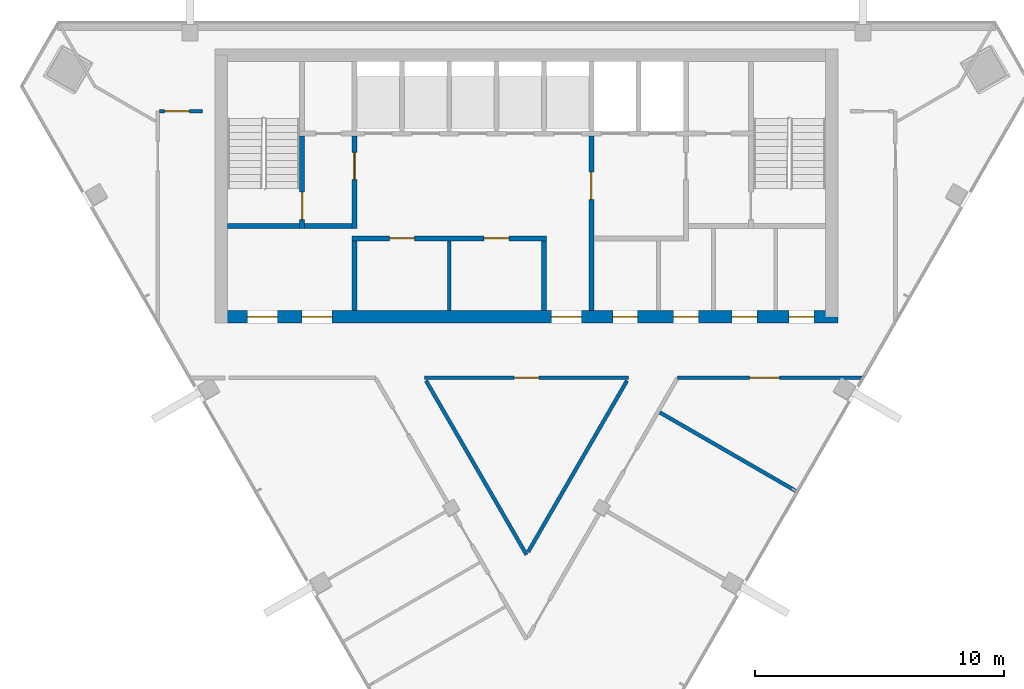
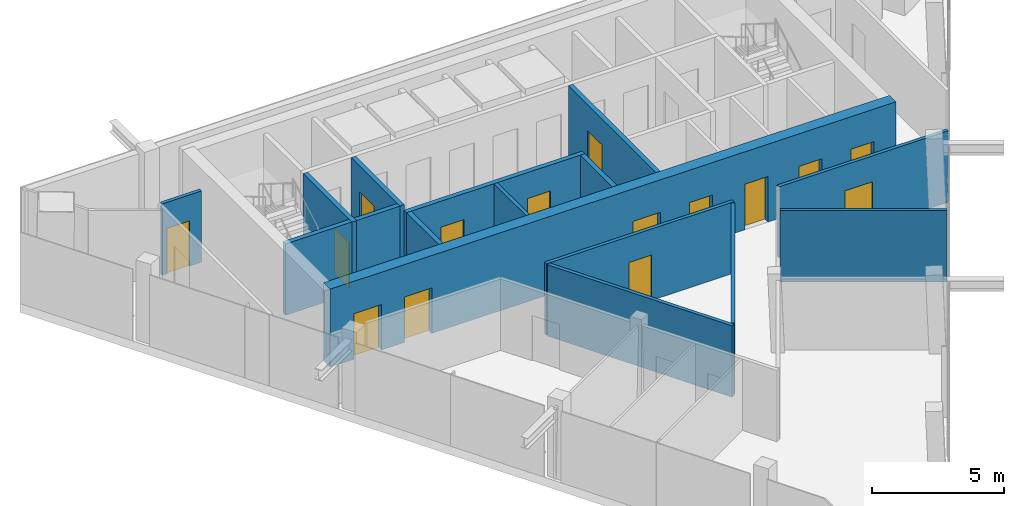
# One storey, part 6 of 9: 16 walls, 15 doors, 15 openings.
"""IFC4 building model written with IfcOpenShell, lengths in metres."""

from ifc_helpers import new_model, si_unit, direction, frame, frame_2d, origin, place, context, subcontext, project, spatial, rectangle, extrude, material, layer, layer_set, type_object, element, fill, save


model = new_model("IFC4")

# Units and contexts
model_context = context("Model", 3, precision=1e-05, world=origin(), true_north=direction((0.0, 1.0)))
body_context = subcontext(model_context, "Body", "Model", "MODEL_VIEW")
ifc_project = project(units=[si_unit("LENGTHUNIT", "METRE"), si_unit("AREAUNIT", "SQUARE_METRE"), si_unit("VOLUMEUNIT", "CUBIC_METRE"), si_unit("PLANEANGLEUNIT", "RADIAN"), si_unit("MASSUNIT", "GRAM", prefix="KILO")], contexts=[model_context])

# Site, building, storey
site_placement = place(None, origin())
site = spatial("IfcSite", under=ifc_project, at=site_placement, CompositionType="ELEMENT")
building_placement = place(site_placement, origin())
building = spatial("IfcBuilding", under=site, at=building_placement, Name="Altiplano Prism Tower", CompositionType="ELEMENT")
storey_placement = place(building_placement, frame((0.0, 0.0, 354.39990234375)))
storey = spatial("IfcBuildingStorey", under=building, at=storey_placement, Name="L92", CompositionType="ELEMENT", Elevation=354.39990234375)

# Wall, openings, doors
ifc_material_1 = material(Name="Concrete C60/75", Category="concrete")
ifc_layer_1 = layer(ifc_material_1, 0.5)
ifc_layer_set_1 = layer_set([ifc_layer_1], Name="Concrete C60/75")
wall_type_1 = type_object("IfcWallType", Name="Core wall 500", PredefinedType="SHEAR", material=ifc_layer_set_1)
wall_1_placement = place(storey_placement, frame((72.75, 93.14990234375, 0.0), z_axis=(0.0, 0.0, 1.0), x_axis=(1.0, 0.0, 0.0)))
wall_1 = element("IfcWall", 1, at=wall_1_placement, inside=storey, type_object=wall_type_1, Name="Core wall S L92", PredefinedType="SHEAR", context=body_context, shape_type="SweptSolid", body=[
    extrude(rectangle(XDim=24.75, YDim=0.5, at=frame_2d((12.375, 0.0))), origin(), (0.0, 0.0, 1.0), 3.60009765625),
])
opening_1_placement = place(wall_1_placement, frame((1.050048828125, 0.0, 0.0)))
opening_1 = element("IfcOpeningElement", 2, at=opening_1_placement, cuts=wall_1, Name="Opening D3898", PredefinedType="OPENING", context=body_context, shape_type="SweptSolid", body=[
    extrude(rectangle(XDim=1.199951171875, YDim=2.10009765625, at=frame_2d((0.60009765625, 1.050048828125))), frame((0.0, 0.260498046875, 0.0), z_axis=(0.0, -1.0, 0.0), x_axis=(1.0, 0.0, 0.0)), (0.0, 0.0, 1.0), 0.52099609375),
])
opening_2_placement = place(wall_1_placement, frame((3.25, 0.0, 0.0)))
opening_2 = element("IfcOpeningElement", 3, at=opening_2_placement, cuts=wall_1, Name="Opening D3899", PredefinedType="OPENING", context=body_context, shape_type="SweptSolid", body=[
    extrude(rectangle(XDim=1.199951171875, YDim=2.10009765625, at=frame_2d((0.60009765625, 1.050048828125))), frame((0.0, 0.260498046875, 0.0), z_axis=(0.0, -1.0, 0.0), x_axis=(1.0, 0.0, 0.0)), (0.0, 0.0, 1.0), 0.52099609375),
])
opening_3_placement = place(wall_1_placement, frame((13.25, 0.0, 0.0)))
opening_3 = element("IfcOpeningElement", 4, at=opening_3_placement, cuts=wall_1, Name="Opening D3900", PredefinedType="OPENING", context=body_context, shape_type="SweptSolid", body=[
    extrude(rectangle(XDim=1.199951171875, YDim=2.10009765625, at=frame_2d((0.60009765625, 1.050048828125))), frame((0.0, 0.260498046875, 0.0), z_axis=(0.0, -1.0, 0.0), x_axis=(1.0, 0.0, 0.0)), (0.0, 0.0, 1.0), 0.52099609375),
])
opening_4_placement = place(wall_1_placement, frame((15.71240234375, 0.0, 0.0)))
opening_4 = element("IfcOpeningElement", 5, at=opening_4_placement, cuts=wall_1, Name="Opening D3903", PredefinedType="OPENING", context=body_context, shape_type="SweptSolid", body=[
    extrude(rectangle(XDim=1.0, YDim=2.10009765625, at=frame_2d((0.5, 1.050048828125))), frame((0.0, 0.260498046875, 0.0), z_axis=(0.0, -1.0, 0.0), x_axis=(1.0, 0.0, 0.0)), (0.0, 0.0, 1.0), 0.52099609375),
])
opening_5_placement = place(wall_1_placement, frame((18.14990234375, 0.0, 0.0)))
opening_5 = element("IfcOpeningElement", 6, at=opening_5_placement, cuts=wall_1, Name="Opening D3904", PredefinedType="OPENING", context=body_context, shape_type="SweptSolid", body=[
    extrude(rectangle(XDim=1.0, YDim=2.10009765625, at=frame_2d((0.5, 1.050048828125))), frame((0.0, 0.260498046875, 0.0), z_axis=(0.0, -1.0, 0.0), x_axis=(1.0, 0.0, 0.0)), (0.0, 0.0, 1.0), 0.52099609375),
])
opening_6_placement = place(wall_1_placement, frame((20.5, 0.0, 0.0)))
opening_6 = element("IfcOpeningElement", 7, at=opening_6_placement, cuts=wall_1, Name="Opening D3905", PredefinedType="OPENING", context=body_context, shape_type="SweptSolid", body=[
    extrude(rectangle(XDim=1.0, YDim=2.10009765625, at=frame_2d((0.5, 1.050048828125))), frame((0.0, 0.260498046875, 0.0), z_axis=(0.0, -1.0, 0.0), x_axis=(1.0, 0.0, 0.0)), (0.0, 0.0, 1.0), 0.52099609375),
])
opening_7_placement = place(wall_1_placement, frame((22.78759765625, 0.0, 0.0)))
opening_7 = element("IfcOpeningElement", 8, at=opening_7_placement, cuts=wall_1, Name="Opening D3906", PredefinedType="OPENING", context=body_context, shape_type="SweptSolid", body=[
    extrude(rectangle(XDim=1.0, YDim=2.10009765625, at=frame_2d((0.5, 1.050048828125))), frame((0.0, 0.260498046875, 0.0), z_axis=(0.0, -1.0, 0.0), x_axis=(1.0, 0.0, 0.0)), (0.0, 0.0, 1.0), 0.52099609375),
])
ifc_material_2 = material(Name="Fire-rated steel door", Category="steel")
door_type_1 = type_object("IfcDoorType", Name="Core room door 1000 x 2100", OperationType="NOTDEFINED", PredefinedType="NOTDEFINED", material=ifc_material_2)
door_1_placement = place(opening_4_placement, origin())
door_1 = element("IfcDoor", 9, at=door_1_placement, inside=storey, type_object=door_type_1, Name="Core room door D3903", OperationType="SINGLE_SWING_RIGHT", OverallHeight=2.10009765625, OverallWidth=1.0, PredefinedType="NOTDEFINED", context=body_context, shape_type="SweptSolid", body=[
    extrude(rectangle(XDim=1.0, YDim=2.10009765625, at=frame_2d((0.5, 1.050048828125))), frame((0.0, 0.02490234375, 0.0), z_axis=(0.0, -1.0, 0.0), x_axis=(1.0, 0.0, 0.0)), (0.0, 0.0, 1.0), 0.050048828125),
])
fill(opening_4, door_1)
door_2_placement = place(opening_5_placement, origin())
door_2 = element("IfcDoor", 10, at=door_2_placement, inside=storey, type_object=door_type_1, Name="Core room door D3904", OperationType="SINGLE_SWING_LEFT", OverallHeight=2.10009765625, OverallWidth=1.0, PredefinedType="NOTDEFINED", context=body_context, shape_type="SweptSolid", body=[
    extrude(rectangle(XDim=1.0, YDim=2.10009765625, at=frame_2d((0.5, 1.050048828125))), frame((0.0, 0.02490234375, 0.0), z_axis=(0.0, -1.0, 0.0), x_axis=(1.0, 0.0, 0.0)), (0.0, 0.0, 1.0), 0.050048828125),
])
fill(opening_5, door_2)
door_3_placement = place(opening_6_placement, origin())
door_3 = element("IfcDoor", 11, at=door_3_placement, inside=storey, type_object=door_type_1, Name="Core room door D3905", OperationType="SINGLE_SWING_RIGHT", OverallHeight=2.10009765625, OverallWidth=1.0, PredefinedType="NOTDEFINED", context=body_context, shape_type="SweptSolid", body=[
    extrude(rectangle(XDim=1.0, YDim=2.10009765625, at=frame_2d((0.5, 1.050048828125))), frame((0.0, 0.02490234375, 0.0), z_axis=(0.0, -1.0, 0.0), x_axis=(1.0, 0.0, 0.0)), (0.0, 0.0, 1.0), 0.050048828125),
])
fill(opening_6, door_3)
door_4_placement = place(opening_7_placement, origin())
door_4 = element("IfcDoor", 12, at=door_4_placement, inside=storey, type_object=door_type_1, Name="Core room door D3906", OperationType="SINGLE_SWING_LEFT", OverallHeight=2.10009765625, OverallWidth=1.0, PredefinedType="NOTDEFINED", context=body_context, shape_type="SweptSolid", body=[
    extrude(rectangle(XDim=1.0, YDim=2.10009765625, at=frame_2d((0.5, 1.050048828125))), frame((0.0, 0.02490234375, 0.0), z_axis=(0.0, -1.0, 0.0), x_axis=(1.0, 0.0, 0.0)), (0.0, 0.0, 1.0), 0.050048828125),
])
fill(opening_7, door_4)
door_type_2 = type_object("IfcDoorType", Name="Lobby fire door 1200 x 2100", OperationType="NOTDEFINED", PredefinedType="NOTDEFINED", material=ifc_material_2)
door_5_placement = place(opening_1_placement, origin())
door_5 = element("IfcDoor", 13, at=door_5_placement, inside=storey, type_object=door_type_2, Name="Lobby fire door D3898", OperationType="SINGLE_SWING_RIGHT", OverallHeight=2.10009765625, OverallWidth=1.199951171875, PredefinedType="NOTDEFINED", context=body_context, shape_type="SweptSolid", body=[
    extrude(rectangle(XDim=1.199951171875, YDim=2.10009765625, at=frame_2d((0.60009765625, 1.050048828125))), frame((0.0, 0.02490234375, 0.0), z_axis=(0.0, -1.0, 0.0), x_axis=(1.0, 0.0, 0.0)), (0.0, 0.0, 1.0), 0.050048828125),
])
fill(opening_1, door_5)
door_6_placement = place(opening_2_placement, origin())
door_6 = element("IfcDoor", 14, at=door_6_placement, inside=storey, type_object=door_type_2, Name="Lobby fire door D3899", OperationType="SINGLE_SWING_LEFT", OverallHeight=2.10009765625, OverallWidth=1.199951171875, PredefinedType="NOTDEFINED", context=body_context, shape_type="SweptSolid", body=[
    extrude(rectangle(XDim=1.199951171875, YDim=2.10009765625, at=frame_2d((0.60009765625, 1.050048828125))), frame((0.0, 0.02490234375, 0.0), z_axis=(0.0, -1.0, 0.0), x_axis=(1.0, 0.0, 0.0)), (0.0, 0.0, 1.0), 0.050048828125),
])
fill(opening_2, door_6)
door_7_placement = place(opening_3_placement, origin())
door_7 = element("IfcDoor", 15, at=door_7_placement, inside=storey, type_object=door_type_2, Name="Lobby fire door D3900", OperationType="SINGLE_SWING_RIGHT", OverallHeight=2.10009765625, OverallWidth=1.199951171875, PredefinedType="NOTDEFINED", context=body_context, shape_type="SweptSolid", body=[
    extrude(rectangle(XDim=1.199951171875, YDim=2.10009765625, at=frame_2d((0.60009765625, 1.050048828125))), frame((0.0, 0.02490234375, 0.0), z_axis=(0.0, -1.0, 0.0), x_axis=(1.0, 0.0, 0.0)), (0.0, 0.0, 1.0), 0.050048828125),
])
fill(opening_3, door_7)

# Wall, opening, door
ifc_material_3 = material(Name="Plasterboard on steel stud", Category="steel")
ifc_layer_2 = layer(ifc_material_3, 0.14990234375)
ifc_layer_set_2 = layer_set([ifc_layer_2], Name="Plasterboard on steel stud")
wall_type_2 = type_object("IfcWallType", Name="Partition 150 corridor", PredefinedType="PARTITIONING", material=ifc_layer_set_2)
wall_2_placement = place(storey_placement, frame((91.062255859375, 90.699951171875, 0.0), z_axis=(0.0, 0.0, 1.0), x_axis=(1.0, 0.0, 0.0)))
wall_2 = element("IfcWall", 16, at=wall_2_placement, inside=storey, type_object=wall_type_2, Name="Partition P06 L92 006", PredefinedType="PARTITIONING", context=body_context, shape_type="SweptSolid", body=[
    extrude(rectangle(XDim=7.41455078125, YDim=0.14990234375, at=frame_2d((3.707275390625, 0.0))), origin(), (0.0, 0.0, 1.0), 3.300048828125),
])
opening_8_placement = place(wall_2_placement, frame((2.89208984375, 0.0, 0.0)))
opening_8 = element("IfcOpeningElement", 17, at=opening_8_placement, cuts=wall_2, Name="Opening D2546", PredefinedType="OPENING", context=body_context, shape_type="SweptSolid", body=[
    extrude(rectangle(XDim=1.199951171875, YDim=2.10009765625, at=frame_2d((0.60009765625, 1.050048828125))), frame((0.0, 0.08544921875, 0.0), z_axis=(0.0, -1.0, 0.0), x_axis=(1.0, 0.0, 0.0)), (0.0, 0.0, 1.0), 0.1708984375),
])
ifc_material_4 = material(Name="Timber", Category="wood")
door_type_3 = type_object("IfcDoorType", Name="Shared room door 1200 x 2100", OperationType="NOTDEFINED", PredefinedType="NOTDEFINED", material=ifc_material_4)
door_8_placement = place(opening_8_placement, origin())
door_8 = element("IfcDoor", 18, at=door_8_placement, inside=storey, type_object=door_type_3, Name="Door D2546", OperationType="SINGLE_SWING_LEFT", OverallHeight=2.10009765625, OverallWidth=1.199951171875, PredefinedType="NOTDEFINED", context=body_context, shape_type="SweptSolid", body=[
    extrude(rectangle(XDim=1.199951171875, YDim=2.10009765625, at=frame_2d((0.60009765625, 1.050048828125))), frame((0.0, 0.02490234375, 0.0), z_axis=(0.0, -1.0, 0.0), x_axis=(1.0, 0.0, 0.0)), (0.0, 0.0, 1.0), 0.050048828125),
])
fill(opening_8, door_8)

wall_3_placement = place(storey_placement, frame((80.902587890625, 90.698974609375, 0.0), z_axis=(0.0, 0.0, 1.0), x_axis=(1.0, 0.0, 0.0)))
wall_3 = element("IfcWall", 19, at=wall_3_placement, inside=storey, type_object=wall_type_2, Name="Partition P06 L92 008", PredefinedType="PARTITIONING", context=body_context, shape_type="SweptSolid", body=[
    extrude(rectangle(XDim=8.19482421875, YDim=0.14990234375, at=frame_2d((4.097412109375, 0.0))), origin(), (0.0, 0.0, 1.0), 3.300048828125),
])
opening_9_placement = place(wall_3_placement, frame((3.596923828125, 0.0, 0.0)))
opening_9 = element("IfcOpeningElement", 20, at=opening_9_placement, cuts=wall_3, Name="Opening D2548", PredefinedType="OPENING", context=body_context, shape_type="SweptSolid", body=[
    extrude(rectangle(XDim=1.0, YDim=2.10009765625, at=frame_2d((0.5, 1.050048828125))), frame((0.0, 0.08544921875, 0.0), z_axis=(0.0, -1.0, 0.0), x_axis=(1.0, 0.0, 0.0)), (0.0, 0.0, 1.0), 0.1708984375),
])
door_type_4 = type_object("IfcDoorType", Name="Store door 1000 x 2100", OperationType="NOTDEFINED", PredefinedType="NOTDEFINED", material=ifc_material_4)
door_9_placement = place(opening_9_placement, origin())
door_9 = element("IfcDoor", 21, at=door_9_placement, inside=storey, type_object=door_type_4, Name="Door D2548", OperationType="SINGLE_SWING_LEFT", OverallHeight=2.10009765625, OverallWidth=1.0, PredefinedType="NOTDEFINED", context=body_context, shape_type="SweptSolid", body=[
    extrude(rectangle(XDim=1.0, YDim=2.10009765625, at=frame_2d((0.5, 1.050048828125))), frame((0.0, 0.02490234375, 0.0), z_axis=(0.0, -1.0, 0.0), x_axis=(1.0, 0.0, 0.0)), (0.0, 0.0, 1.0), 0.050048828125),
])
fill(opening_9, door_9)

# Walls
wall_4_placement = place(storey_placement, frame((89.032470703125, 90.58642578125, 0.0), z_axis=(0.0, 0.0, 1.0), x_axis=(-0.500007429784, -0.866021114154, 0.0)))
element("IfcWall", 22, at=wall_4_placement, inside=storey, type_object=wall_type_2, Name="Partition P06 L92 009", PredefinedType="PARTITIONING", context=body_context, shape_type="SweptSolid", body=[
    extrude(rectangle(XDim=7.93505859375, YDim=0.14990234375, at=frame_2d((3.967529296875, 0.0))), origin(), (0.0, 0.0, 1.0), 3.300048828125),
])
wall_5_placement = place(storey_placement, frame((85.0, 83.60205078125, 0.0), z_axis=(0.0, 0.0, 1.0), x_axis=(-0.500003712085, 0.8660232606, 0.0)))
element("IfcWall", 23, at=wall_5_placement, inside=storey, type_object=wall_type_2, Name="Partition P06 L92 010", PredefinedType="PARTITIONING", context=body_context, shape_type="SweptSolid", body=[
    extrude(rectangle(XDim=8.06494140625, YDim=0.14990234375, at=frame_2d((4.032470703125, 0.0))), origin(), (0.0, 0.0, 1.0), 3.300048828125),
])

# Wall, opening, door
wall_6_placement = place(storey_placement, frame((72.0, 101.40087890625, 0.0), z_axis=(0.0, 0.0, 1.0), x_axis=(-1.0, 0.0, 0.0)))
wall_6 = element("IfcWall", 24, at=wall_6_placement, inside=storey, type_object=wall_type_2, Name="Partition P06 L92 012", PredefinedType="PARTITIONING", context=body_context, shape_type="SweptSolid", body=[
    extrude(rectangle(XDim=1.725341796875, YDim=0.14990234375, at=frame_2d((0.86279296875, 0.0))), origin(), (0.0, 0.0, 1.0), 3.300048828125),
])
opening_10_placement = place(wall_6_placement, frame((0.52490234375, 0.0, 0.0)))
opening_10 = element("IfcOpeningElement", 25, at=opening_10_placement, cuts=wall_6, Name="Opening D2550", PredefinedType="OPENING", context=body_context, shape_type="SweptSolid", body=[
    extrude(rectangle(XDim=1.0, YDim=2.10009765625, at=frame_2d((0.5, 1.050048828125))), frame((0.0, 0.08544921875, 0.0), z_axis=(0.0, -1.0, 0.0), x_axis=(1.0, 0.0, 0.0)), (0.0, 0.0, 1.0), 0.1708984375),
])
door_type_5 = type_object("IfcDoorType", Name="Room door 1000 x 2100", OperationType="NOTDEFINED", PredefinedType="NOTDEFINED", material=ifc_material_4)
door_10_placement = place(opening_10_placement, origin())
door_10 = element("IfcDoor", 26, at=door_10_placement, inside=storey, type_object=door_type_5, Name="Door D2550", OperationType="SINGLE_SWING_RIGHT", OverallHeight=2.10009765625, OverallWidth=1.0, PredefinedType="NOTDEFINED", context=body_context, shape_type="SweptSolid", body=[
    extrude(rectangle(XDim=1.0, YDim=2.10009765625, at=frame_2d((0.5, 1.050048828125))), frame((0.0, 0.02490234375, 0.0), z_axis=(0.0, -1.0, 0.0), x_axis=(1.0, 0.0, 0.0)), (0.0, 0.0, 1.0), 0.050048828125),
])
fill(opening_10, door_10)

# Walls
ifc_layer_3 = layer(ifc_material_3, 0.14990234375)
ifc_layer_set_3 = layer_set([ifc_layer_3], Name="Plasterboard on steel stud")
wall_type_3 = type_object("IfcWallType", Name="Partition 150 party", PredefinedType="PARTITIONING", material=ifc_layer_set_3)
wall_7_placement = place(storey_placement, frame((95.8251953125, 86.14990234375, 0.0), z_axis=(0.0, 0.0, 1.0), x_axis=(-0.866015887322, 0.500016482634, 0.0)))
element("IfcWall", 27, at=wall_7_placement, inside=storey, type_object=wall_type_3, Name="Partition P01 L92 019", PredefinedType="PARTITIONING", context=body_context, shape_type="SweptSolid", body=[
    extrude(rectangle(XDim=6.324951171875, YDim=0.14990234375, at=frame_2d((3.16259765625, 0.0))), origin(), (0.0, 0.0, 1.0), 3.300048828125),
])
ifc_material_5 = material(Name="Fire-rated gypsum board partition")
ifc_layer_4 = layer(ifc_material_5, 0.14990234375)
ifc_layer_set_4 = layer_set([ifc_layer_4], Name="Fire-rated gypsum board partition")
wall_type_4 = type_object("IfcWallType", Name="Room partition 150", PredefinedType="PARTITIONING", material=ifc_layer_set_4)
wall_8_placement = place(storey_placement, frame((81.89990234375, 93.39990234375, 0.0), z_axis=(0.0, 0.0, 1.0), x_axis=(0.0, 1.0, 0.0)))
element("IfcWall", 28, at=wall_8_placement, inside=storey, type_object=wall_type_4, Name="Room partition L92", PredefinedType="PARTITIONING", context=body_context, shape_type="SweptSolid", body=[
    extrude(rectangle(XDim=2.800048828125, YDim=0.14990234375, at=frame_2d((1.39990234375, 0.0))), origin(), (0.0, 0.0, 1.0), 3.300048828125),
])
ifc_layer_5 = layer(ifc_material_1, 0.199951171875)
ifc_layer_set_5 = layer_set([ifc_layer_5], Name="Concrete C60/75")
wall_type_5 = type_object("IfcWallType", Name="Stair wall 200", PredefinedType="SOLIDWALL", material=ifc_layer_set_5)
wall_9_placement = place(storey_placement, frame((73.0, 96.800048828125, 0.0), z_axis=(0.0, 0.0, 1.0), x_axis=(1.0, 0.0, 0.0)))
element("IfcWall", 29, at=wall_9_placement, inside=storey, type_object=wall_type_5, Name="Stair wall L92", PredefinedType="SOLIDWALL", context=body_context, shape_type="SweptSolid", body=[
    extrude(rectangle(XDim=2.89990234375, YDim=0.199951171875, at=frame_2d((1.449951171875, 0.0))), origin(), (0.0, 0.0, 1.0), 3.300048828125),
])

# Wall, opening, door
wall_10_placement = place(storey_placement, frame((76.0, 96.699951171875, 0.0), z_axis=(0.0, 0.0, 1.0), x_axis=(0.0, 1.0, 0.0)))
wall_10 = element("IfcWall", 30, at=wall_10_placement, inside=storey, type_object=wall_type_5, Name="Stair wall L92", PredefinedType="SOLIDWALL", context=body_context, shape_type="SweptSolid", body=[
    extrude(rectangle(XDim=3.699951171875, YDim=0.199951171875, at=frame_2d((1.85009765625, 0.0))), origin(), (0.0, 0.0, 1.0), 3.300048828125),
])
opening_11_placement = place(wall_10_placement, frame((0.35009765625, 0.0, 0.0)))
opening_11 = element("IfcOpeningElement", 31, at=opening_11_placement, cuts=wall_10, Name="Opening D3893", PredefinedType="OPENING", context=body_context, shape_type="SweptSolid", body=[
    extrude(rectangle(XDim=1.10009765625, YDim=2.10009765625, at=frame_2d((0.550048828125, 1.050048828125))), frame((0.0, 0.1103515625, 0.0), z_axis=(0.0, -1.0, 0.0), x_axis=(1.0, 0.0, 0.0)), (0.0, 0.0, 1.0), 0.220947265625),
])
door_type_6 = type_object("IfcDoorType", Name="Stair fire door 1100 x 2100", OperationType="NOTDEFINED", PredefinedType="NOTDEFINED", material=ifc_material_2)
door_11_placement = place(opening_11_placement, origin())
door_11 = element("IfcDoor", 32, at=door_11_placement, inside=storey, type_object=door_type_6, Name="Stair fire door D3893", OperationType="SINGLE_SWING_RIGHT", OverallHeight=2.10009765625, OverallWidth=1.10009765625, PredefinedType="NOTDEFINED", context=body_context, shape_type="SweptSolid", body=[
    extrude(rectangle(XDim=1.10009765625, YDim=2.10009765625, at=frame_2d((0.550048828125, 1.050048828125))), frame((0.0, 0.02490234375, 0.0), z_axis=(0.0, -1.0, 0.0), x_axis=(1.0, 0.0, 0.0)), (0.0, 0.0, 1.0), 0.050048828125),
])
fill(opening_11, door_11)

# Walls
ifc_layer_6 = layer(ifc_material_1, 0.199951171875)
ifc_layer_set_6 = layer_set([ifc_layer_6], Name="Concrete C60/75")
wall_type_6 = type_object("IfcWallType", Name="Vestibule wall 200", PredefinedType="PARTITIONING", material=ifc_layer_set_6)
for number, where, z_axis, x_axis, name in (
    (33, (78.10009765625, 93.39990234375, 0.0), (0.0, 0.0, 1.0), (0.0, 1.0, 0.0), "Vestibule wall L92"),
    (34, (85.699951171875, 93.39990234375, 0.0), (0.0, 0.0, 1.0), (0.0, 1.0, 0.0), "Vestibule wall L92"),
):
    element("IfcWall", number, at=place(storey_placement, frame(where, z_axis=z_axis, x_axis=x_axis)), inside=storey, type_object=wall_type_6, Name=name, PredefinedType="PARTITIONING", context=body_context, shape_type="SweptSolid", body=[
        extrude(rectangle(XDim=2.800048828125, YDim=0.199951171875, at=frame_2d((1.39990234375, 0.0))), origin(), (0.0, 0.0, 1.0), 3.300048828125),
    ])

# Wall, opening, door
wall_11_placement = place(storey_placement, frame((87.60009765625, 93.39990234375, 0.0), z_axis=(0.0, 0.0, 1.0), x_axis=(0.0, 1.0, 0.0)))
wall_11 = element("IfcWall", 35, at=wall_11_placement, inside=storey, type_object=wall_type_6, Name="Vestibule wall L92", PredefinedType="PARTITIONING", context=body_context, shape_type="SweptSolid", body=[
    extrude(rectangle(XDim=7.0, YDim=0.199951171875, at=frame_2d((3.5, 0.0))), origin(), (0.0, 0.0, 1.0), 3.300048828125),
])
opening_12_placement = place(wall_11_placement, frame((4.449951171875, 0.0, 0.0)))
opening_12 = element("IfcOpeningElement", 36, at=opening_12_placement, cuts=wall_11, Name="Opening D3896", PredefinedType="OPENING", context=body_context, shape_type="SweptSolid", body=[
    extrude(rectangle(XDim=1.10009765625, YDim=2.10009765625, at=frame_2d((0.550048828125, 1.050048828125))), frame((0.0, 0.1103515625, 0.0), z_axis=(0.0, -1.0, 0.0), x_axis=(1.0, 0.0, 0.0)), (0.0, 0.0, 1.0), 0.220947265625),
])
door_type_7 = type_object("IfcDoorType", Name="Vestibule fire door 1100 x 2100", OperationType="NOTDEFINED", PredefinedType="NOTDEFINED", material=ifc_material_2)
door_12_placement = place(opening_12_placement, origin())
door_12 = element("IfcDoor", 37, at=door_12_placement, inside=storey, type_object=door_type_7, Name="Vestibule fire door D3896", OperationType="SINGLE_SWING_RIGHT", OverallHeight=2.10009765625, OverallWidth=1.10009765625, PredefinedType="NOTDEFINED", context=body_context, shape_type="SweptSolid", body=[
    extrude(rectangle(XDim=1.10009765625, YDim=2.10009765625, at=frame_2d((0.550048828125, 1.050048828125))), frame((0.0, 0.02490234375, 0.0), z_axis=(0.0, -1.0, 0.0), x_axis=(1.0, 0.0, 0.0)), (0.0, 0.0, 1.0), 0.050048828125),
])
fill(opening_12, door_12)

# Wall, openings, doors
wall_12_placement = place(storey_placement, frame((78.0, 96.300048828125, 0.0), z_axis=(0.0, 0.0, 1.0), x_axis=(1.0, 0.0, 0.0)))
wall_12 = element("IfcWall", 38, at=wall_12_placement, inside=storey, type_object=wall_type_6, Name="Vestibule wall L92", PredefinedType="PARTITIONING", context=body_context, shape_type="SweptSolid", body=[
    extrude(rectangle(XDim=7.800048828125, YDim=0.199951171875, at=frame_2d((3.89990234375, 0.0))), origin(), (0.0, 0.0, 1.0), 3.300048828125),
])
opening_13_placement = place(wall_12_placement, frame((1.512451171875, 0.0, 0.0)))
opening_13 = element("IfcOpeningElement", 39, at=opening_13_placement, cuts=wall_12, Name="Opening D3907", PredefinedType="OPENING", context=body_context, shape_type="SweptSolid", body=[
    extrude(rectangle(XDim=1.0, YDim=2.10009765625, at=frame_2d((0.5, 1.050048828125))), frame((0.0, 0.1103515625, 0.0), z_axis=(0.0, -1.0, 0.0), x_axis=(1.0, 0.0, 0.0)), (0.0, 0.0, 1.0), 0.220947265625),
])
opening_14_placement = place(wall_12_placement, frame((5.28759765625, 0.0, 0.0)))
opening_14 = element("IfcOpeningElement", 40, at=opening_14_placement, cuts=wall_12, Name="Opening D3908", PredefinedType="OPENING", context=body_context, shape_type="SweptSolid", body=[
    extrude(rectangle(XDim=1.0, YDim=2.10009765625, at=frame_2d((0.5, 1.050048828125))), frame((0.0, 0.1103515625, 0.0), z_axis=(0.0, -1.0, 0.0), x_axis=(1.0, 0.0, 0.0)), (0.0, 0.0, 1.0), 0.220947265625),
])
door_13_placement = place(opening_13_placement, origin())
door_13 = element("IfcDoor", 41, at=door_13_placement, inside=storey, type_object=door_type_1, Name="Core room door D3907", OperationType="SINGLE_SWING_RIGHT", OverallHeight=2.10009765625, OverallWidth=1.0, PredefinedType="NOTDEFINED", context=body_context, shape_type="SweptSolid", body=[
    extrude(rectangle(XDim=1.0, YDim=2.10009765625, at=frame_2d((0.5, 1.050048828125))), frame((0.0, 0.02490234375, 0.0), z_axis=(0.0, -1.0, 0.0), x_axis=(1.0, 0.0, 0.0)), (0.0, 0.0, 1.0), 0.050048828125),
])
fill(opening_13, door_13)
door_14_placement = place(opening_14_placement, origin())
door_14 = element("IfcDoor", 42, at=door_14_placement, inside=storey, type_object=door_type_1, Name="Core room door D3908", OperationType="SINGLE_SWING_RIGHT", OverallHeight=2.10009765625, OverallWidth=1.0, PredefinedType="NOTDEFINED", context=body_context, shape_type="SweptSolid", body=[
    extrude(rectangle(XDim=1.0, YDim=2.10009765625, at=frame_2d((0.5, 1.050048828125))), frame((0.0, 0.02490234375, 0.0), z_axis=(0.0, -1.0, 0.0), x_axis=(1.0, 0.0, 0.0)), (0.0, 0.0, 1.0), 0.050048828125),
])
fill(opening_14, door_14)

# Wall
wall_13_placement = place(storey_placement, frame((76.10009765625, 96.800048828125, 0.0), z_axis=(0.0, 0.0, 1.0), x_axis=(1.0, 0.0, 0.0)))
element("IfcWall", 43, at=wall_13_placement, inside=storey, type_object=wall_type_6, Name="Vestibule wall L92", PredefinedType="PARTITIONING", context=body_context, shape_type="SweptSolid", body=[
    extrude(rectangle(XDim=1.89990234375, YDim=0.199951171875, at=frame_2d((0.949951171875, 0.0))), origin(), (0.0, 0.0, 1.0), 3.300048828125),
])

# Wall, opening, door
wall_14_placement = place(storey_placement, frame((78.10009765625, 96.699951171875, 0.0), z_axis=(0.0, 0.0, 1.0), x_axis=(0.0, 1.0, 0.0)))
wall_14 = element("IfcWall", 44, at=wall_14_placement, inside=storey, type_object=wall_type_6, Name="Vestibule wall L92", PredefinedType="PARTITIONING", context=body_context, shape_type="SweptSolid", body=[
    extrude(rectangle(XDim=3.699951171875, YDim=0.199951171875, at=frame_2d((1.85009765625, 0.0))), origin(), (0.0, 0.0, 1.0), 3.300048828125),
])
opening_15_placement = place(wall_14_placement, frame((1.949951171875, 0.0, 0.0)))
opening_15 = element("IfcOpeningElement", 45, at=opening_15_placement, cuts=wall_14, Name="Opening D3895", PredefinedType="OPENING", context=body_context, shape_type="SweptSolid", body=[
    extrude(rectangle(XDim=1.10009765625, YDim=2.10009765625, at=frame_2d((0.550048828125, 1.050048828125))), frame((0.0, 0.1103515625, 0.0), z_axis=(0.0, -1.0, 0.0), x_axis=(1.0, 0.0, 0.0)), (0.0, 0.0, 1.0), 0.220947265625),
])
door_15_placement = place(opening_15_placement, origin())
door_15 = element("IfcDoor", 46, at=door_15_placement, inside=storey, type_object=door_type_7, Name="Vestibule fire door D3895", OperationType="SINGLE_SWING_LEFT", OverallHeight=2.10009765625, OverallWidth=1.10009765625, PredefinedType="NOTDEFINED", context=body_context, shape_type="SweptSolid", body=[
    extrude(rectangle(XDim=1.10009765625, YDim=2.10009765625, at=frame_2d((0.550048828125, 1.050048828125))), frame((0.0, 0.02490234375, 0.0), z_axis=(0.0, -1.0, 0.0), x_axis=(1.0, 0.0, 0.0)), (0.0, 0.0, 1.0), 0.050048828125),
])
fill(opening_15, door_15)

save(model, "model.ifc")
